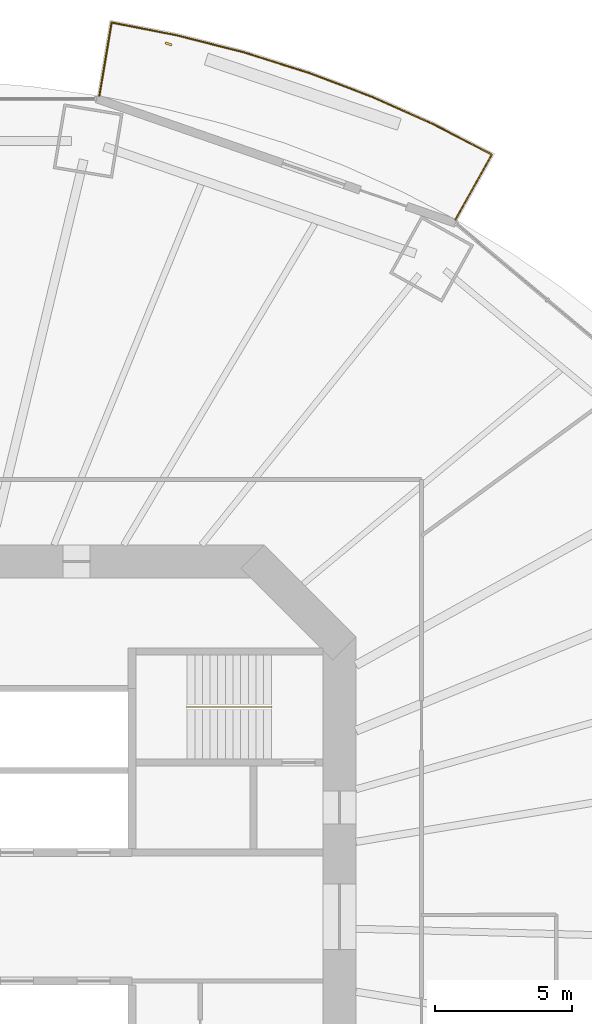
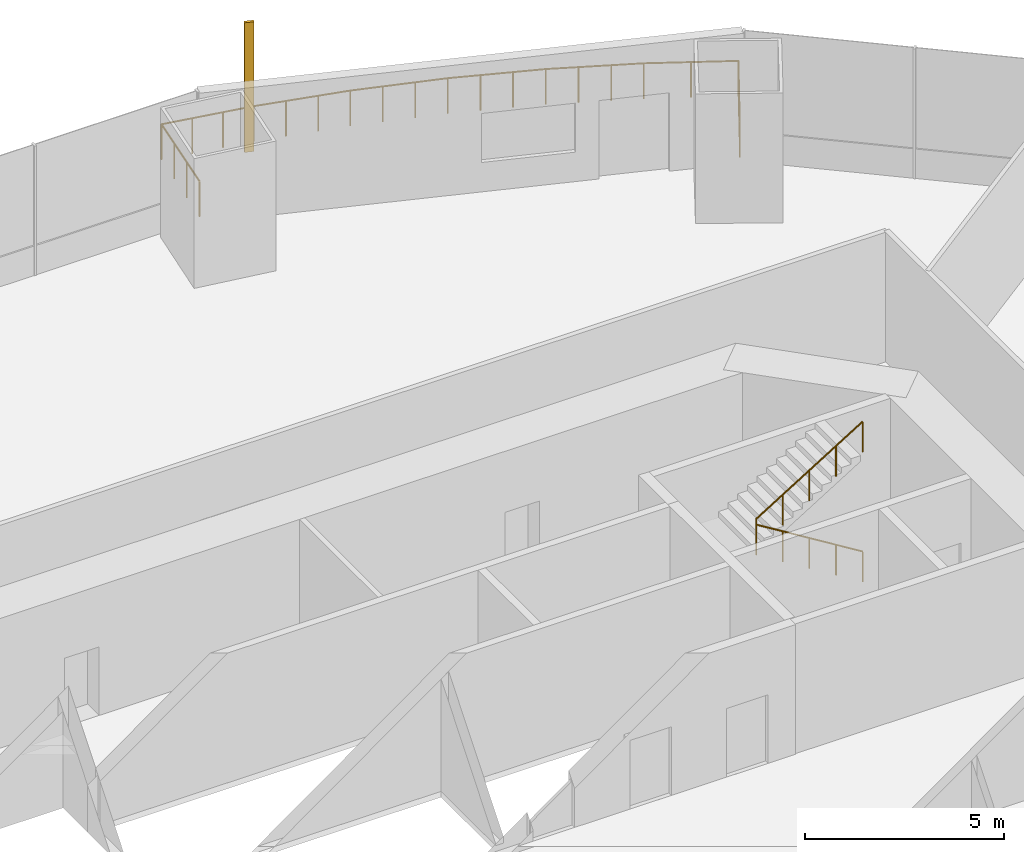
# One storey, part 21 of 23: 2 railings, 1 shading device.
"""IFC4 building model written with IfcOpenShell, lengths in metres."""

from ifc_helpers import new_model, si_unit, direction, frame, origin, origin_2d, place, context, subcontext, project, spatial, rectangle, circle, extrude, material, material_profile, profile_set, type_object, element, save


model = new_model("IFC4")

# Units and contexts
model_context = context("Model", 3, precision=1e-05, world=origin(), true_north=direction((0.0, 1.0)))
body_context = subcontext(model_context, "Body", "Model", "MODEL_VIEW")
ifc_project = project(units=[si_unit("LENGTHUNIT", "METRE"), si_unit("AREAUNIT", "SQUARE_METRE"), si_unit("VOLUMEUNIT", "CUBIC_METRE"), si_unit("PLANEANGLEUNIT", "RADIAN"), si_unit("MASSUNIT", "GRAM", prefix="KILO")], contexts=[model_context])

# Site, building, storey
site_placement = place(None, origin())
site = spatial("IfcSite", under=ifc_project, at=site_placement, CompositionType="ELEMENT")
building_placement = place(site_placement, origin())
building = spatial("IfcBuilding", under=site, at=building_placement, Name="Marenthal Gate Tower", CompositionType="ELEMENT")
storey_placement = place(building_placement, frame((0.0, 0.0, 53.75)))
storey = spatial("IfcBuildingStorey", under=building, at=storey_placement, Name="L09", CompositionType="ELEMENT", Elevation=53.75)

# Railings
ifc_material_1 = material(Name="Stainless steel", Category="steel")
railing_type_1 = type_object("IfcRailingType", Name="Balcony guard 1100", PredefinedType="GUARDRAIL", material=ifc_material_1)
railing_1_placement = place(storey_placement, frame((7.2109375, 30.033203125, 0.0)))
element("IfcRailing", 1, at=railing_1_placement, inside=storey, type_object=railing_type_1, Name="Balcony guard L09 bay 3", PredefinedType="GUARDRAIL", context=body_context, shape_type="SweptSolid", body=[
    extrude(circle(Radius=0.02392578125, at=origin_2d()), frame((0.0, 0.0, 1.076171875), z_axis=(0.164512163182, 0.986265227064, -0.014719036968), x_axis=(-0.986372081632, 0.164529986862, 0.0)), (0.0, 0.0, 1.0), 2.72021484375),
    extrude(circle(Radius=0.02392578125, at=origin_2d()), frame((0.447509765625, 2.682861328125, 1.0361328125), z_axis=(0.981261967917, -0.19267835976, 0.0), x_axis=(0.19267835976, 0.981261967917, 0.0)), (0.0, 0.0, 1.0), 2.445556640625),
    extrude(circle(Radius=0.02392578125, at=origin_2d()), frame((2.84716796875, 2.211669921875, 1.0361328125), z_axis=(0.969181494284, -0.246347784927, 0.0), x_axis=(0.246347784927, 0.969181494284, 0.0)), (0.0, 0.0, 1.0), 2.515380859375),
    extrude(circle(Radius=0.02392578125, at=origin_2d()), frame((5.284912109375, 1.592041015625, 1.0361328125), z_axis=(0.953671084495, -0.30085123001, 0.0), x_axis=(0.30085123001, 0.953671084495, 0.0)), (0.0, 0.0, 1.0), 2.502685546875),
    extrude(circle(Radius=0.02392578125, at=origin_2d()), frame((7.671630859375, 0.839111328125, 1.0361328125), z_axis=(0.934902124895, -0.354905645019, 0.0), x_axis=(0.354905645019, 0.934902124895, 0.0)), (0.0, 0.0, 1.0), 2.488037109375),
    extrude(circle(Radius=0.02392578125, at=origin_2d()), frame((9.997802734375, -0.0439453125, 1.0361328125), z_axis=(0.912605925031, -0.408840342429, 0.0), x_axis=(0.408840342429, 0.912605925031, 0.0)), (0.0, 0.0, 1.0), 2.4716796875),
    extrude(circle(Radius=0.02392578125, at=origin_2d()), frame((12.25341796875, -1.054443359375, 1.0361328125), z_axis=(0.887280789471, -0.461229661487, 0.0), x_axis=(0.461229661487, 0.887280789471, 0.0)), (0.0, 0.0, 1.0), 2.37353515625),
    extrude(circle(Radius=0.02392578125, at=origin_2d()), frame((14.359375, -2.149169921875, 1.0361328125), z_axis=(-0.488779989422, -0.872282908041, 0.014719044852), x_axis=(0.872377413566, -0.488832945188, 0.0)), (0.0, 0.0, 1.0), 2.72021484375),
    extrude(circle(Radius=0.02099609375, at=origin_2d()), origin(), (0.0, 0.0, 1.0), 1.052001953125),
    extrude(circle(Radius=0.02099609375, at=origin_2d()), frame((0.149169921875, 0.894287109375, -0.013427734375)), (0.0, 0.0, 1.0), 1.052001953125),
    extrude(circle(Radius=0.02099609375, at=origin_2d()), frame((0.29833984375, 1.78857421875, -0.026611328125)), (0.0, 0.0, 1.0), 1.052001953125),
    extrude(circle(Radius=0.02099609375, at=origin_2d()), frame((0.447509765625, 2.682861328125, -0.0400390625)), (0.0, 0.0, 1.0), 1.052001953125),
    extrude(circle(Radius=0.02099609375, at=origin_2d()), frame((1.247314453125, 2.52587890625, -0.0400390625)), (0.0, 0.0, 1.0), 1.052001953125),
    extrude(circle(Radius=0.02099609375, at=origin_2d()), frame((2.04736328125, 2.36865234375, -0.0400390625)), (0.0, 0.0, 1.0), 1.052001953125),
    extrude(circle(Radius=0.02099609375, at=origin_2d()), frame((2.84716796875, 2.211669921875, -0.0400390625)), (0.0, 0.0, 1.0), 1.052001953125),
    extrude(circle(Radius=0.02099609375, at=origin_2d()), frame((3.65966796875, 2.005126953125, -0.0400390625)), (0.0, 0.0, 1.0), 1.052001953125),
    extrude(circle(Radius=0.02099609375, at=origin_2d()), frame((4.472412109375, 1.798583984375, -0.0400390625)), (0.0, 0.0, 1.0), 1.052001953125),
    extrude(circle(Radius=0.02099609375, at=origin_2d()), frame((5.284912109375, 1.592041015625, -0.0400390625)), (0.0, 0.0, 1.0), 1.052001953125),
    extrude(circle(Radius=0.02099609375, at=origin_2d()), frame((6.08056640625, 1.341064453125, -0.0400390625)), (0.0, 0.0, 1.0), 1.052001953125),
    extrude(circle(Radius=0.02099609375, at=origin_2d()), frame((6.8759765625, 1.090087890625, -0.0400390625)), (0.0, 0.0, 1.0), 1.052001953125),
    extrude(circle(Radius=0.02099609375, at=origin_2d()), frame((7.671630859375, 0.839111328125, -0.0400390625)), (0.0, 0.0, 1.0), 1.052001953125),
    extrude(circle(Radius=0.02099609375, at=origin_2d()), frame((8.447021484375, 0.544677734375, -0.0400390625)), (0.0, 0.0, 1.0), 1.052001953125),
    extrude(circle(Radius=0.02099609375, at=origin_2d()), frame((9.222412109375, 0.25048828125, -0.0400390625)), (0.0, 0.0, 1.0), 1.052001953125),
    extrude(circle(Radius=0.02099609375, at=origin_2d()), frame((9.997802734375, -0.0439453125, -0.0400390625)), (0.0, 0.0, 1.0), 1.052001953125),
    extrude(circle(Radius=0.02099609375, at=origin_2d()), frame((10.749755859375, -0.380859375, -0.0400390625)), (0.0, 0.0, 1.0), 1.052001953125),
    extrude(circle(Radius=0.02099609375, at=origin_2d()), frame((11.50146484375, -0.717529296875, -0.0400390625)), (0.0, 0.0, 1.0), 1.052001953125),
    extrude(circle(Radius=0.02099609375, at=origin_2d()), frame((12.25341796875, -1.054443359375, -0.0400390625)), (0.0, 0.0, 1.0), 1.052001953125),
    extrude(circle(Radius=0.02099609375, at=origin_2d()), frame((13.306396484375, -1.601806640625, -0.0400390625)), (0.0, 0.0, 1.0), 1.052001953125),
    extrude(circle(Radius=0.02099609375, at=origin_2d()), frame((14.359375, -2.149169921875, -0.0400390625)), (0.0, 0.0, 1.0), 1.052001953125),
    extrude(circle(Radius=0.02099609375, at=origin_2d()), frame((13.916259765625, -2.940185546875, -0.026611328125)), (0.0, 0.0, 1.0), 1.052001953125),
    extrude(circle(Radius=0.02099609375, at=origin_2d()), frame((13.472900390625, -3.73095703125, -0.013427734375)), (0.0, 0.0, 1.0), 1.052001953125),
    extrude(circle(Radius=0.02099609375, at=origin_2d()), frame((13.02978515625, -4.52197265625, 0.0)), (0.0, 0.0, 1.0), 1.052001953125),
])
ifc_material_2 = material(Name="Stainless steel", Category="steel")
railing_type_2 = type_object("IfcRailingType", Name="Stair handrail", PredefinedType="HANDRAIL", material=ifc_material_2)
railing_2_placement = place(storey_placement, frame((13.5, 7.675048828125, 0.1728515625)))
element("IfcRailing", 2, at=railing_2_placement, inside=storey, type_object=railing_type_2, Name="Handrail ST3", PredefinedType="HANDRAIL", context=body_context, shape_type="SweptSolid", body=[
    extrude(circle(Radius=0.0224609375, at=origin_2d()), frame((0.0, 0.0, 0.927490234375), z_axis=(-0.850835241893, 0.0, 0.525432575268), x_axis=(0.0, -1.0, 0.0)), (0.0, 0.0, 1.0), 3.6201171875),
    extrude(circle(Radius=0.0224609375, at=origin_2d()), frame((-3.080078125, 0.0, 2.82958984375), z_axis=(0.0, 0.0, 1.0), x_axis=(1.0, 0.0, 0.0)), (0.0, 0.0, 1.0), 0.1728515625),
    extrude(circle(Radius=0.0224609375, at=origin_2d()), frame((-3.080078125, 0.0, 3.00244140625), z_axis=(0.850835241893, 0.0, 0.525432575268), x_axis=(0.0, 1.0, 0.0)), (0.0, 0.0, 1.0), 3.6201171875),
    extrude(circle(Radius=0.02001953125, at=origin_2d()), origin(), (0.0, 0.0, 1.0), 0.905029296875),
    extrude(circle(Radius=0.02001953125, at=origin_2d()), frame((-0.77001953125, 0.0, 0.4755859375)), (0.0, 0.0, 1.0), 0.905029296875),
    extrude(circle(Radius=0.02001953125, at=origin_2d()), frame((-1.5400390625, 0.0, 0.951171875)), (0.0, 0.0, 1.0), 0.905029296875),
    extrude(circle(Radius=0.02001953125, at=origin_2d()), frame((-2.31005859375, 0.0, 1.426513671875)), (0.0, 0.0, 1.0), 0.905029296875),
    extrude(circle(Radius=0.02001953125, at=origin_2d()), frame((-3.080078125, 0.0, 1.902099609375)), (0.0, 0.0, 1.0), 0.905029296875),
    extrude(circle(Radius=0.02001953125, at=origin_2d()), frame((-3.080078125, 0.0, 2.074951171875)), (0.0, 0.0, 1.0), 0.905029296875),
    extrude(circle(Radius=0.02001953125, at=origin_2d()), frame((-2.31005859375, 0.0, 2.550537109375)), (0.0, 0.0, 1.0), 0.905029296875),
    extrude(circle(Radius=0.02001953125, at=origin_2d()), frame((-1.5400390625, 0.0, 3.02587890625)), (0.0, 0.0, 1.0), 0.905029296875),
    extrude(circle(Radius=0.02001953125, at=origin_2d()), frame((-0.77001953125, 0.0, 3.50146484375)), (0.0, 0.0, 1.0), 0.905029296875),
    extrude(circle(Radius=0.02001953125, at=origin_2d()), frame((0.0, 0.0, 3.97705078125)), (0.0, 0.0, 1.0), 0.905029296875),
])

# Shading device
ifc_material_3 = material(Name="Terracotta", Category="masonry")
ifc_material_profile = material_profile(ifc_material_3, rectangle(XDim=0.25, YDim=0.080078125, at=origin_2d()), Name="Terracotta baguette 250x80")
ifc_profile_set = profile_set([ifc_material_profile], Name="Terracotta")
shading_device_type = type_object("IfcShadingDeviceType", Name="Terracotta BAGUETTE SCREEN 250x80", PredefinedType="USERDEFINED", material=ifc_profile_set)
shading_device_placement = place(storey_placement, frame((9.740234375, 31.9326171875, -0.0400390625), z_axis=(0.0, 0.0, 1.0), x_axis=(-0.944690686162, 0.327962661713, 0.0)))
element("IfcShadingDevice", 3, at=shading_device_placement, inside=storey, type_object=shading_device_type, Name="Terracotta BAGUETTE L09 bay 3R", ObjectType="BAGUETTE SCREEN", PredefinedType="USERDEFINED", context=body_context, shape_type="SweptSolid", body=[
    extrude(rectangle(XDim=0.25, YDim=0.080078125, at=origin_2d()), origin(), (0.0, 0.0, 1.0), 3.969970703125),
])

save(model, "model.ifc")
